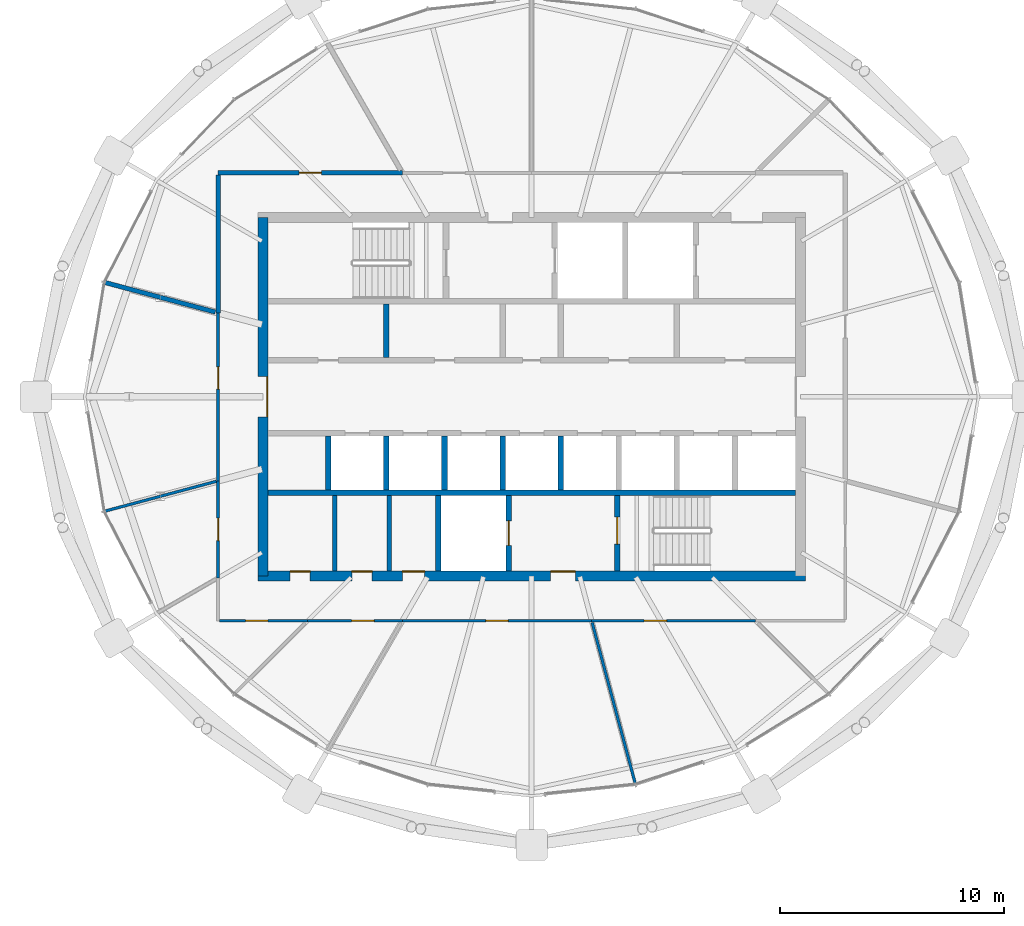
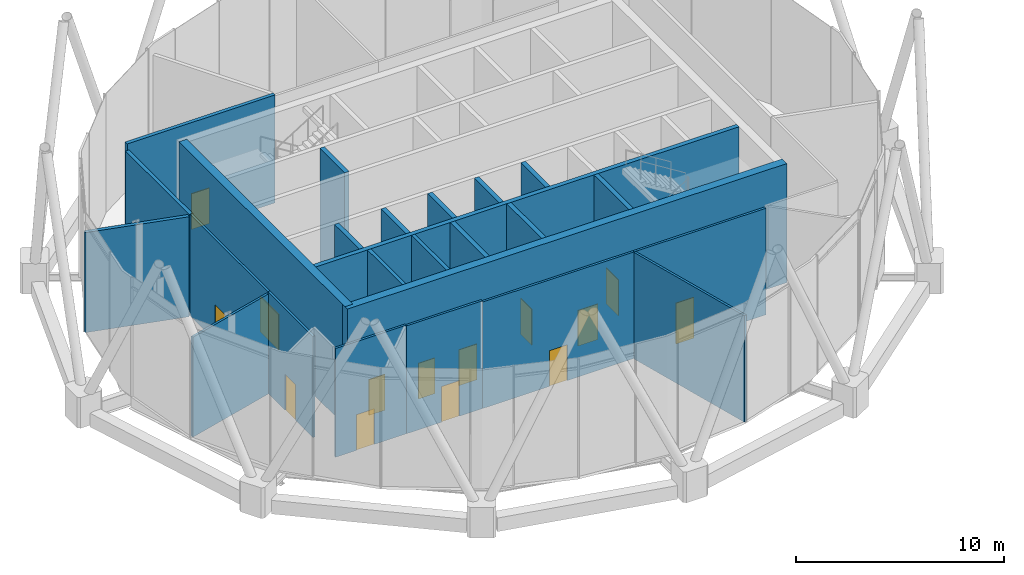
# One storey, part 18 of 28: 25 walls, 14 doors, 14 openings.
"""IFC4 building model written with IfcOpenShell, lengths in metres."""

from ifc_helpers import new_model, si_unit, direction, frame, frame_2d, origin, place, context, subcontext, project, spatial, rectangle, extrude, material, layer, layer_set, type_object, element, fill, save


model = new_model("IFC4")

# Units and contexts
model_context = context("Model", 3, precision=1e-05, world=origin(), true_north=direction((0.0, 1.0)))
body_context = subcontext(model_context, "Body", "Model", "MODEL_VIEW")
ifc_project = project(units=[si_unit("LENGTHUNIT", "METRE"), si_unit("AREAUNIT", "SQUARE_METRE"), si_unit("VOLUMEUNIT", "CUBIC_METRE"), si_unit("PLANEANGLEUNIT", "RADIAN"), si_unit("MASSUNIT", "GRAM", prefix="KILO")], contexts=[model_context])

# Site, building, storey
site_placement = place(None, origin())
site = spatial("IfcSite", under=ifc_project, at=site_placement, CompositionType="ELEMENT")
building_placement = place(site_placement, origin())
building = spatial("IfcBuilding", under=site, at=building_placement, Name="Rimbun Link Towers", CompositionType="ELEMENT")
storey_placement = place(building_placement, frame((0.0, 0.0, 256.10009765625)))
storey = spatial("IfcBuildingStorey", under=building, at=storey_placement, Name="L63", CompositionType="ELEMENT", Elevation=256.10009765625)

# Walls
ifc_material_1 = material(Name="Masonry blockwork", Category="masonry")
ifc_layer_1 = layer(ifc_material_1, 0.199951171875)
ifc_layer_set_1 = layer_set([ifc_layer_1], Name="Core partition 200")
wall_type_1 = type_object("IfcWallType", Name="Core partition 200", PredefinedType="PARTITIONING", material=ifc_layer_set_1)
for number, where, z_axis, x_axis, name in (
    (1, (-40.550048828125, -4.39990234375, 0.0), (0.0, 0.0, 1.0), (0.0, -1.0, 0.0), "L63 T1 core wall C1"),
    (2, (-38.10009765625, -4.39990234375, 0.0), (0.0, 0.0, 1.0), (0.0, -1.0, 0.0), "L63 T1 core wall C2"),
):
    element("IfcWall", number, at=place(storey_placement, frame(where, z_axis=z_axis, x_axis=x_axis)), inside=storey, type_object=wall_type_1, Name=name, PredefinedType="PARTITIONING", context=body_context, shape_type="SweptSolid", body=[
        extrude(rectangle(XDim=3.375, YDim=0.199951171875, at=frame_2d((1.6875, 0.0))), origin(), (0.0, 0.0, 1.0), 7.0),
    ])

# Wall, openings, doors
ifc_material_2 = material(Name="Concrete C60/75", Category="concrete")
ifc_layer_2 = layer(ifc_material_2, 0.449951171875)
ifc_layer_set_2 = layer_set([ifc_layer_2], Name="Core shear wall 450")
wall_type_2 = type_object("IfcWallType", Name="Core shear wall 450", PredefinedType="SHEAR", material=ifc_layer_set_2)
wall_1_placement = place(storey_placement, frame((-43.97509765625, -8.0, 0.0), z_axis=(0.0, 0.0, 1.0), x_axis=(1.0, 0.0, 0.0)))
wall_1 = element("IfcWall", 3, at=wall_1_placement, inside=storey, type_object=wall_type_2, Name="L63 T1 core wall S", PredefinedType="SHEAR", context=body_context, shape_type="SweptSolid", body=[
    extrude(rectangle(XDim=24.4501953125, YDim=0.449951171875, at=frame_2d((12.22509765625, 0.0))), origin(), (0.0, 0.0, 1.0), 7.0),
])
opening_1_placement = place(wall_1_placement, frame((13.074951171875, 0.0, 0.0)))
opening_1 = element("IfcOpeningElement", 4, at=opening_1_placement, cuts=wall_1, Name="Opening C1DCF01S", PredefinedType="OPENING", context=body_context, shape_type="SweptSolid", body=[
    extrude(rectangle(XDim=1.10009765625, YDim=2.10009765625, at=frame_2d((0.550048828125, 1.050048828125))), frame((0.0, 0.23486328125, 0.0), z_axis=(0.0, -1.0, 0.0), x_axis=(1.0, 0.0, 0.0)), (0.0, 0.0, 1.0), 0.469970703125),
])
opening_2_placement = place(wall_1_placement, frame((1.4375, 0.0, 0.0)))
opening_2 = element("IfcOpeningElement", 5, at=opening_2_placement, cuts=wall_1, Name="Opening C1DWC02S", PredefinedType="OPENING", context=body_context, shape_type="SweptSolid", body=[
    extrude(rectangle(XDim=0.89990234375, YDim=2.10009765625, at=frame_2d((0.449951171875, 1.050048828125))), frame((0.0, 0.23486328125, 0.0), z_axis=(0.0, -1.0, 0.0), x_axis=(1.0, 0.0, 0.0)), (0.0, 0.0, 1.0), 0.469970703125),
])
opening_3_placement = place(wall_1_placement, frame((4.199951171875, 0.0, 0.0)))
opening_3 = element("IfcOpeningElement", 6, at=opening_3_placement, cuts=wall_1, Name="Opening C1DWC03S", PredefinedType="OPENING", context=body_context, shape_type="SweptSolid", body=[
    extrude(rectangle(XDim=0.89990234375, YDim=2.10009765625, at=frame_2d((0.449951171875, 1.050048828125))), frame((0.0, 0.23486328125, 0.0), z_axis=(0.0, -1.0, 0.0), x_axis=(1.0, 0.0, 0.0)), (0.0, 0.0, 1.0), 0.469970703125),
])
opening_4_placement = place(wall_1_placement, frame((6.449951171875, 0.0, 0.0)))
opening_4 = element("IfcOpeningElement", 7, at=opening_4_placement, cuts=wall_1, Name="Opening C1DAW04S", PredefinedType="OPENING", context=body_context, shape_type="SweptSolid", body=[
    extrude(rectangle(XDim=1.0, YDim=2.10009765625, at=frame_2d((0.5, 1.050048828125))), frame((0.0, 0.23486328125, 0.0), z_axis=(0.0, -1.0, 0.0), x_axis=(1.0, 0.0, 0.0)), (0.0, 0.0, 1.0), 0.469970703125),
])
ifc_material_3 = material(Name="Timber", Category="wood")
door_type_1 = type_object("IfcDoorType", Name="Accessible WC door", OperationType="SINGLE_SWING_LEFT", PredefinedType="DOOR", material=ifc_material_3)
door_1_placement = place(opening_4_placement, origin())
door_1 = element("IfcDoor", 8, at=door_1_placement, inside=storey, type_object=door_type_1, Name="L63 T1 accessible wc door", OperationType="SINGLE_SWING_RIGHT", OverallHeight=2.10009765625, OverallWidth=1.0, PredefinedType="DOOR", context=body_context, shape_type="SweptSolid", body=[
    extrude(rectangle(XDim=1.0, YDim=2.10009765625, at=frame_2d((0.5, 1.050048828125))), frame((0.0, 0.22509765625, 0.0), z_axis=(0.0, -1.0, 0.0), x_axis=(1.0, 0.0, 0.0)), (0.0, 0.0, 1.0), 0.050048828125),
])
fill(opening_4, door_1)
ifc_material_4 = material(Name="Steel fire door set", Category="steel")
door_type_2 = type_object("IfcDoorType", Name="Core fire door single", OperationType="SINGLE_SWING_LEFT", PredefinedType="DOOR", material=ifc_material_4)
door_2_placement = place(opening_1_placement, origin())
door_2 = element("IfcDoor", 9, at=door_2_placement, inside=storey, type_object=door_type_2, Name="L63 T1 firefighting lobby s door", OperationType="SINGLE_SWING_RIGHT", OverallHeight=2.10009765625, OverallWidth=1.10009765625, PredefinedType="DOOR", context=body_context, shape_type="SweptSolid", body=[
    extrude(rectangle(XDim=1.10009765625, YDim=2.10009765625, at=frame_2d((0.550048828125, 1.050048828125))), frame((0.0, 0.22509765625, 0.0), z_axis=(0.0, -1.0, 0.0), x_axis=(1.0, 0.0, 0.0)), (0.0, 0.0, 1.0), 0.050048828125),
])
fill(opening_1, door_2)
ifc_material_5 = material(Name="Timber", Category="wood")
door_type_3 = type_object("IfcDoorType", Name="WC door", OperationType="SINGLE_SWING_LEFT", PredefinedType="DOOR", material=ifc_material_5)
door_3_placement = place(opening_2_placement, origin())
door_3 = element("IfcDoor", 10, at=door_3_placement, inside=storey, type_object=door_type_3, Name="L63 T1 male wc door", OperationType="SINGLE_SWING_RIGHT", OverallHeight=2.10009765625, OverallWidth=0.89990234375, PredefinedType="DOOR", context=body_context, shape_type="SweptSolid", body=[
    extrude(rectangle(XDim=0.89990234375, YDim=2.10009765625, at=frame_2d((0.449951171875, 1.050048828125))), frame((0.0, 0.22509765625, 0.0), z_axis=(0.0, -1.0, 0.0), x_axis=(1.0, 0.0, 0.0)), (0.0, 0.0, 1.0), 0.050048828125),
])
fill(opening_2, door_3)
door_4_placement = place(opening_3_placement, origin())
door_4 = element("IfcDoor", 11, at=door_4_placement, inside=storey, type_object=door_type_3, Name="L63 T1 female wc door", OperationType="SINGLE_SWING_LEFT", OverallHeight=2.10009765625, OverallWidth=0.89990234375, PredefinedType="DOOR", context=body_context, shape_type="SweptSolid", body=[
    extrude(rectangle(XDim=0.89990234375, YDim=2.10009765625, at=frame_2d((0.449951171875, 1.050048828125))), frame((0.0, 0.22509765625, 0.0), z_axis=(0.0, -1.0, 0.0), x_axis=(1.0, 0.0, 0.0)), (0.0, 0.0, 1.0), 0.050048828125),
])
fill(opening_3, door_4)

# Wall, opening, door
wall_2_placement = place(storey_placement, frame((-43.75, -8.0, 0.0), z_axis=(0.0, 0.0, 1.0), x_axis=(0.0, 1.0, 0.0)))
wall_2 = element("IfcWall", 12, at=wall_2_placement, inside=storey, type_object=wall_type_2, Name="L63 T1 core wall W", PredefinedType="SHEAR", context=body_context, shape_type="SweptSolid", body=[
    extrude(rectangle(XDim=16.0, YDim=0.449951171875, at=frame_2d((8.0, 0.0))), origin(), (0.0, 0.0, 1.0), 7.0),
])
opening_5_placement = place(wall_2_placement, frame((7.10009765625, 0.0, 0.0)))
opening_5 = element("IfcOpeningElement", 13, at=opening_5_placement, cuts=wall_2, Name="Opening C1DCL01W", PredefinedType="OPENING", context=body_context, shape_type="SweptSolid", body=[
    extrude(rectangle(XDim=1.800048828125, YDim=2.10009765625, at=frame_2d((0.89990234375, 1.050048828125))), frame((0.0, 0.23486328125, 0.0), z_axis=(0.0, -1.0, 0.0), x_axis=(1.0, 0.0, 0.0)), (0.0, 0.0, 1.0), 0.469970703125),
])
ifc_material_6 = material(Name="Steel fire door set", Category="steel")
door_type_4 = type_object("IfcDoorType", Name="Core lobby door double", OperationType="DOUBLE_DOOR_SINGLE_SWING", PredefinedType="DOOR", material=ifc_material_6)
door_5_placement = place(opening_5_placement, origin())
door_5 = element("IfcDoor", 14, at=door_5_placement, inside=storey, type_object=door_type_4, Name="L63 T1 lift lobby door", OperationType="DOUBLE_DOOR_SINGLE_SWING", OverallHeight=2.10009765625, OverallWidth=1.800048828125, PredefinedType="DOOR", context=body_context, shape_type="SweptSolid", body=[
    extrude(rectangle(XDim=1.800048828125, YDim=2.10009765625, at=frame_2d((0.89990234375, 1.050048828125))), frame((0.0, -0.1748046875, 0.0), z_axis=(0.0, -1.0, 0.0), x_axis=(1.0, 0.0, 0.0)), (0.0, 0.0, 1.0), 0.050048828125),
])
fill(opening_5, door_5)

ifc_material_7 = material(Name="Concrete blockwork", Category="masonry")
ifc_layer_3 = layer(ifc_material_7, 0.199951171875)
ifc_layer_set_3 = layer_set([ifc_layer_3], Name="Fire partition 200 blockwork")
wall_type_3 = type_object("IfcWallType", Name="Fire partition 200 blockwork", PredefinedType="PARTITIONING", material=ifc_layer_set_3)
wall_3_placement = place(storey_placement, frame((-37.5234375, 10.0, 0.0), z_axis=(0.0, 0.0, 1.0), x_axis=(-1.0, 0.0, 0.0)))
wall_3 = element("IfcWall", 15, at=wall_3_placement, inside=storey, type_object=wall_type_3, Name="TW/PW/L63/013", PredefinedType="PARTITIONING", context=body_context, shape_type="SweptSolid", body=[
    extrude(rectangle(XDim=8.2265625, YDim=0.199951171875, at=frame_2d((4.11328125, 0.0))), origin(), (0.0, 0.0, 1.0), 6.346923828125),
])
opening_6_placement = place(wall_3_placement, frame((3.613037109375, 0.0, 0.0)))
opening_6 = element("IfcOpeningElement", 16, at=opening_6_placement, cuts=wall_3, Name="Opening TW D63.10", PredefinedType="OPENING", context=body_context, shape_type="SweptSolid", body=[
    extrude(rectangle(XDim=1.0, YDim=2.10009765625, at=frame_2d((0.5, 1.050048828125))), frame((0.0, 0.10986328125, 0.0), z_axis=(0.0, -1.0, 0.0), x_axis=(1.0, 0.0, 0.0)), (0.0, 0.0, 1.0), 0.219970703125),
])
ifc_material_8 = material(Name="Steel fire door set", Category="steel")
door_type_5 = type_object("IfcDoorType", Name="Fire door single leaf 1000 x 2100", OperationType="NOTDEFINED", PredefinedType="DOOR", material=ifc_material_8)
door_6_placement = place(opening_6_placement, origin())
door_6 = element("IfcDoor", 17, at=door_6_placement, inside=storey, type_object=door_type_5, Name="TW/DR/L63/010", OperationType="SINGLE_SWING_LEFT", OverallHeight=2.10009765625, OverallWidth=1.0, PredefinedType="DOOR", context=body_context, shape_type="SweptSolid", body=[
    extrude(rectangle(XDim=1.0, YDim=2.10009765625, at=frame_2d((0.5, 1.050048828125))), frame((0.0, 0.02490234375, 0.0), z_axis=(0.0, -1.0, 0.0), x_axis=(1.0, 0.0, 0.0)), (0.0, 0.0, 1.0), 0.050048828125),
])
fill(opening_6, door_6)

# Walls
wall_4_placement = place(storey_placement, frame((-45.75, 9.89990234375, 0.0), z_axis=(0.0, 0.0, 1.0), x_axis=(0.0, -1.0, 0.0)))
element("IfcWall", 18, at=wall_4_placement, inside=storey, type_object=wall_type_3, Name="TW/PW/L63/014", PredefinedType="PARTITIONING", context=body_context, shape_type="SweptSolid", body=[
    extrude(rectangle(XDim=6.148681640625, YDim=0.199951171875, at=frame_2d((3.07421875, 0.0))), origin(), (0.0, 0.0, 1.0), 5.958984375),
])
wall_5_placement = place(storey_placement, frame((-50.8837890625, 5.126953125, 0.0), z_axis=(0.0, 0.0, 1.0), x_axis=(0.965916099521, -0.258855343168, 0.0)))
element("IfcWall", 19, at=wall_5_placement, inside=storey, type_object=wall_type_3, Name="TW/PW/L63/026", PredefinedType="PARTITIONING", context=body_context, shape_type="SweptSolid", body=[
    extrude(rectangle(XDim=5.1845703125, YDim=0.199951171875, at=frame_2d((2.59228515625, 0.0))), origin(), (0.0, 0.0, 1.0), 5.8818359375),
])

# Wall, opening, door
ifc_material_9 = material(Name="Gypsum board on steel studs", Category="steel")
ifc_layer_4 = layer(ifc_material_9, 0.125)
ifc_layer_set_4 = layer_set([ifc_layer_4], Name="Partition 125 board on studs")
wall_type_4 = type_object("IfcWallType", Name="Partition 125 board on studs", PredefinedType="PARTITIONING", material=ifc_layer_set_4)
wall_6_placement = place(storey_placement, frame((-45.75, -3.751220703125, 0.0), z_axis=(0.0, 0.0, 1.0), x_axis=(0.0, -1.0, 0.0)))
wall_6 = element("IfcWall", 20, at=wall_6_placement, inside=storey, type_object=wall_type_4, Name="TW/PW/L63/001", PredefinedType="PARTITIONING", context=body_context, shape_type="SweptSolid", body=[
    extrude(rectangle(XDim=4.331787109375, YDim=0.125, at=frame_2d((2.166015625, 0.0))), origin(), (0.0, 0.0, 1.0), 5.958984375),
])
opening_7_placement = place(wall_6_placement, frame((1.666015625, 0.0, 0.0)))
opening_7 = element("IfcOpeningElement", 21, at=opening_7_placement, cuts=wall_6, Name="Opening TW D63.01", PredefinedType="OPENING", context=body_context, shape_type="SweptSolid", body=[
    extrude(rectangle(XDim=1.0, YDim=2.10009765625, at=frame_2d((0.5, 1.050048828125))), frame((0.0, 0.072509765625, 0.0), z_axis=(0.0, -1.0, 0.0), x_axis=(1.0, 0.0, 0.0)), (0.0, 0.0, 1.0), 0.14501953125),
])
ifc_material_10 = material(Name="Timber door set", Category="wood")
door_type_6 = type_object("IfcDoorType", Name="Door single leaf 1000 x 2100", OperationType="NOTDEFINED", PredefinedType="DOOR", material=ifc_material_10)
door_7_placement = place(opening_7_placement, origin())
door_7 = element("IfcDoor", 22, at=door_7_placement, inside=storey, type_object=door_type_6, Name="TW/DR/L63/001", OperationType="SINGLE_SWING_RIGHT", OverallHeight=2.10009765625, OverallWidth=1.0, PredefinedType="DOOR", context=body_context, shape_type="SweptSolid", body=[
    extrude(rectangle(XDim=1.0, YDim=2.10009765625, at=frame_2d((0.5, 1.050048828125))), frame((0.0, 0.02490234375, 0.0), z_axis=(0.0, -1.0, 0.0), x_axis=(1.0, 0.0, 0.0)), (0.0, 0.0, 1.0), 0.050048828125),
])
fill(opening_7, door_7)

wall_7_placement = place(storey_placement, frame((-45.6875, -10.0, 0.0), z_axis=(0.0, 0.0, 1.0), x_axis=(1.0, 0.0, 0.0)))
wall_7 = element("IfcWall", 23, at=wall_7_placement, inside=storey, type_object=wall_type_4, Name="TW/PW/L63/003", PredefinedType="PARTITIONING", context=body_context, shape_type="SweptSolid", body=[
    extrude(rectangle(XDim=3.9375, YDim=0.125, at=frame_2d((1.96875, 0.0))), origin(), (0.0, 0.0, 1.0), 6.393798828125),
])
opening_8_placement = place(wall_7_placement, frame((1.1630859375, 0.0, 0.0)))
opening_8 = element("IfcOpeningElement", 24, at=opening_8_placement, cuts=wall_7, Name="Opening TW D63.02", PredefinedType="OPENING", context=body_context, shape_type="SweptSolid", body=[
    extrude(rectangle(XDim=1.0, YDim=2.10009765625, at=frame_2d((0.5, 1.050048828125))), frame((0.0, 0.072509765625, 0.0), z_axis=(0.0, -1.0, 0.0), x_axis=(1.0, 0.0, 0.0)), (0.0, 0.0, 1.0), 0.14501953125),
])
door_8_placement = place(opening_8_placement, origin())
door_8 = element("IfcDoor", 25, at=door_8_placement, inside=storey, type_object=door_type_6, Name="TW/DR/L63/002", OperationType="SINGLE_SWING_LEFT", OverallHeight=2.10009765625, OverallWidth=1.0, PredefinedType="DOOR", context=body_context, shape_type="SweptSolid", body=[
    extrude(rectangle(XDim=1.0, YDim=2.10009765625, at=frame_2d((0.5, 1.050048828125))), frame((0.0, 0.02490234375, 0.0), z_axis=(0.0, -1.0, 0.0), x_axis=(1.0, 0.0, 0.0)), (0.0, 0.0, 1.0), 0.050048828125),
])
fill(opening_8, door_8)

wall_8_placement = place(storey_placement, frame((-41.75, -10.0, 0.0), z_axis=(0.0, 0.0, 1.0), x_axis=(1.0, 0.0, 0.0)))
wall_8 = element("IfcWall", 26, at=wall_8_placement, inside=storey, type_object=wall_type_4, Name="TW/PW/L63/004", PredefinedType="PARTITIONING", context=body_context, shape_type="SweptSolid", body=[
    extrude(rectangle(XDim=4.2265625, YDim=0.125, at=frame_2d((2.11328125, 0.0))), origin(), (0.0, 0.0, 1.0), 6.346923828125),
])
opening_9_placement = place(wall_8_placement, frame((1.9619140625, 0.0, 0.0)))
opening_9 = element("IfcOpeningElement", 27, at=opening_9_placement, cuts=wall_8, Name="Opening TW D63.03", PredefinedType="OPENING", context=body_context, shape_type="SweptSolid", body=[
    extrude(rectangle(XDim=1.0, YDim=2.10009765625, at=frame_2d((0.5, 1.050048828125))), frame((0.0, 0.072509765625, 0.0), z_axis=(0.0, -1.0, 0.0), x_axis=(1.0, 0.0, 0.0)), (0.0, 0.0, 1.0), 0.14501953125),
])
door_9_placement = place(opening_9_placement, origin())
door_9 = element("IfcDoor", 28, at=door_9_placement, inside=storey, type_object=door_type_6, Name="TW/DR/L63/003", OperationType="SINGLE_SWING_RIGHT", OverallHeight=2.10009765625, OverallWidth=1.0, PredefinedType="DOOR", context=body_context, shape_type="SweptSolid", body=[
    extrude(rectangle(XDim=1.0, YDim=2.10009765625, at=frame_2d((0.5, 1.050048828125))), frame((0.0, 0.02490234375, 0.0), z_axis=(0.0, -1.0, 0.0), x_axis=(1.0, 0.0, 0.0)), (0.0, 0.0, 1.0), 0.050048828125),
])
fill(opening_9, door_9)

wall_9_placement = place(storey_placement, frame((-37.5234375, -10.0, 0.0), z_axis=(0.0, 0.0, 1.0), x_axis=(1.0, 0.0, 0.0)))
wall_9 = element("IfcWall", 29, at=wall_9_placement, inside=storey, type_object=wall_type_4, Name="TW/PW/L63/005", PredefinedType="PARTITIONING", context=body_context, shape_type="SweptSolid", body=[
    extrude(rectangle(XDim=8.452880859375, YDim=0.125, at=frame_2d((4.2265625, 0.0))), origin(), (0.0, 0.0, 1.0), 6.266845703125),
])
opening_10_placement = place(wall_9_placement, frame((3.72607421875, 0.0, 0.0)))
opening_10 = element("IfcOpeningElement", 30, at=opening_10_placement, cuts=wall_9, Name="Opening TW D63.04", PredefinedType="OPENING", context=body_context, shape_type="SweptSolid", body=[
    extrude(rectangle(XDim=1.0, YDim=2.10009765625, at=frame_2d((0.5, 1.050048828125))), frame((0.0, 0.072509765625, 0.0), z_axis=(0.0, -1.0, 0.0), x_axis=(1.0, 0.0, 0.0)), (0.0, 0.0, 1.0), 0.14501953125),
])
door_10_placement = place(opening_10_placement, origin())
door_10 = element("IfcDoor", 31, at=door_10_placement, inside=storey, type_object=door_type_6, Name="TW/DR/L63/004", OperationType="SINGLE_SWING_LEFT", OverallHeight=2.10009765625, OverallWidth=1.0, PredefinedType="DOOR", context=body_context, shape_type="SweptSolid", body=[
    extrude(rectangle(XDim=1.0, YDim=2.10009765625, at=frame_2d((0.5, 1.050048828125))), frame((0.0, 0.02490234375, 0.0), z_axis=(0.0, -1.0, 0.0), x_axis=(1.0, 0.0, 0.0)), (0.0, 0.0, 1.0), 0.050048828125),
])
fill(opening_10, door_10)

wall_10_placement = place(storey_placement, frame((-29.070556640625, -10.0, 0.0), z_axis=(0.0, 0.0, 1.0), x_axis=(1.0, 0.0, 0.0)))
wall_10 = element("IfcWall", 32, at=wall_10_placement, inside=storey, type_object=wall_type_4, Name="TW/PW/L63/006", PredefinedType="PARTITIONING", context=body_context, shape_type="SweptSolid", body=[
    extrude(rectangle(XDim=7.320556640625, YDim=0.125, at=frame_2d((3.66015625, 0.0))), origin(), (0.0, 0.0, 1.0), 6.266845703125),
])
opening_11_placement = place(wall_10_placement, frame((2.346923828125, 0.0, 0.0)))
opening_11 = element("IfcOpeningElement", 33, at=opening_11_placement, cuts=wall_10, Name="Opening TW D63.05", PredefinedType="OPENING", context=body_context, shape_type="SweptSolid", body=[
    extrude(rectangle(XDim=1.0, YDim=2.39990234375, at=frame_2d((0.5, 1.199951171875))), frame((0.0, 0.072509765625, 0.0), z_axis=(0.0, -1.0, 0.0), x_axis=(1.0, 0.0, 0.0)), (0.0, 0.0, 1.0), 0.14501953125),
])
ifc_material_11 = material(Name="Timber door set", Category="wood")
door_type_7 = type_object("IfcDoorType", Name="Hall door single leaf 1000 x 2400", OperationType="NOTDEFINED", PredefinedType="DOOR", material=ifc_material_11)
door_11_placement = place(opening_11_placement, origin())
door_11 = element("IfcDoor", 34, at=door_11_placement, inside=storey, type_object=door_type_7, Name="TW/DR/L63/005", OperationType="SINGLE_SWING_RIGHT", OverallHeight=2.39990234375, OverallWidth=1.0, PredefinedType="DOOR", context=body_context, shape_type="SweptSolid", body=[
    extrude(rectangle(XDim=1.0, YDim=2.39990234375, at=frame_2d((0.5, 1.199951171875))), frame((0.0, 0.02490234375, 0.0), z_axis=(0.0, -1.0, 0.0), x_axis=(1.0, 0.0, 0.0)), (0.0, 0.0, 1.0), 0.050048828125),
])
fill(opening_11, door_11)

wall_11_placement = place(storey_placement, frame((-45.75, 3.751220703125, 0.0), z_axis=(0.0, 0.0, 1.0), x_axis=(0.0, -1.0, 0.0)))
wall_11 = element("IfcWall", 35, at=wall_11_placement, inside=storey, type_object=wall_type_4, Name="TW/PW/L63/015", PredefinedType="PARTITIONING", context=body_context, shape_type="SweptSolid", body=[
    extrude(rectangle(XDim=7.50244140625, YDim=0.125, at=frame_2d((3.751220703125, 0.0))), origin(), (0.0, 0.0, 1.0), 5.958984375),
])
opening_12_placement = place(wall_11_placement, frame((2.410888671875, 0.0, 0.0)))
opening_12 = element("IfcOpeningElement", 36, at=opening_12_placement, cuts=wall_11, Name="Opening TW D63.11", PredefinedType="OPENING", context=body_context, shape_type="SweptSolid", body=[
    extrude(rectangle(XDim=1.0, YDim=2.10009765625, at=frame_2d((0.5, 1.050048828125))), frame((0.0, 0.072509765625, 0.0), z_axis=(0.0, -1.0, 0.0), x_axis=(1.0, 0.0, 0.0)), (0.0, 0.0, 1.0), 0.14501953125),
])
door_12_placement = place(opening_12_placement, origin())
door_12 = element("IfcDoor", 37, at=door_12_placement, inside=storey, type_object=door_type_6, Name="TW/DR/L63/011", OperationType="SINGLE_SWING_RIGHT", OverallHeight=2.10009765625, OverallWidth=1.0, PredefinedType="DOOR", context=body_context, shape_type="SweptSolid", body=[
    extrude(rectangle(XDim=1.0, YDim=2.10009765625, at=frame_2d((0.5, 1.050048828125))), frame((0.0, 0.02490234375, 0.0), z_axis=(0.0, -1.0, 0.0), x_axis=(1.0, 0.0, 0.0)), (0.0, 0.0, 1.0), 0.050048828125),
])
fill(opening_12, door_12)

# Walls
wall_12_placement = place(storey_placement, frame((-45.82861328125, -3.7724609375, 0.0), z_axis=(0.0, 0.0, 1.0), x_axis=(-0.965928385491, -0.258809493842, 0.0)))
element("IfcWall", 38, at=wall_12_placement, inside=storey, type_object=wall_type_4, Name="TW/PW/L63/017", PredefinedType="PARTITIONING", context=body_context, shape_type="SweptSolid", body=[
    extrude(rectangle(XDim=5.1533203125, YDim=0.125, at=frame_2d((2.57666015625, 0.0))), origin(), (0.0, 0.0, 1.0), 5.8818359375),
])
wall_13_placement = place(storey_placement, frame((-27.10009765625, -17.35400390625, 0.0), z_axis=(0.0, 0.0, 1.0), x_axis=(-0.258792252093, 0.965933005056, 0.0)))
element("IfcWall", 39, at=wall_13_placement, inside=storey, type_object=wall_type_4, Name="TW/PW/L63/020", PredefinedType="PARTITIONING", context=body_context, shape_type="SweptSolid", body=[
    extrude(rectangle(XDim=7.531982421875, YDim=0.125, at=frame_2d((3.76611328125, 0.0))), origin(), (0.0, 0.0, 1.0), 6.266845703125),
])
ifc_material_12 = material(Name="Concrete C60/75", Category="concrete")
ifc_layer_5 = layer(ifc_material_12, 0.25)
ifc_layer_set_5 = layer_set([ifc_layer_5], Name="Shaft wall 250")
wall_type_5 = type_object("IfcWallType", Name="Shaft wall 250", PredefinedType="SHEAR", material=ifc_layer_set_5)
wall_14_placement = place(storey_placement, frame((-43.52490234375, -4.27490234375, 0.0), z_axis=(0.0, 0.0, 1.0), x_axis=(1.0, 0.0, 0.0)))
element("IfcWall", 40, at=wall_14_placement, inside=storey, type_object=wall_type_5, Name="L63 T1 core wall BS", PredefinedType="SHEAR", context=body_context, shape_type="SweptSolid", body=[
    extrude(rectangle(XDim=23.5498046875, YDim=0.25, at=frame_2d((11.77490234375, 0.0))), origin(), (0.0, 0.0, 1.0), 7.0),
])
for number, where, z_axis, x_axis, name in (
    (41, (-38.236083984375, 1.75, 0.0), (0.0, 0.0, 1.0), (0.0, 1.0, 0.0), "L63 T1 core wall DN1"),
    (42, (-40.83056640625, -4.14990234375, 0.0), (0.0, 0.0, 1.0), (0.0, 1.0, 0.0), "L63 T1 core wall DS0"),
    (43, (-38.236083984375, -4.14990234375, 0.0), (0.0, 0.0, 1.0), (0.0, 1.0, 0.0), "L63 T1 core wall DS1"),
    (44, (-35.6416015625, -4.14990234375, 0.0), (0.0, 0.0, 1.0), (0.0, 1.0, 0.0), "L63 T1 core wall DS2"),
    (45, (-33.047119140625, -4.14990234375, 0.0), (0.0, 0.0, 1.0), (0.0, 1.0, 0.0), "L63 T1 core wall DS3"),
    (46, (-30.452880859375, -4.14990234375, 0.0), (0.0, 0.0, 1.0), (0.0, 1.0, 0.0), "L63 T1 core wall DS4"),
):
    element("IfcWall", number, at=place(storey_placement, frame(where, z_axis=z_axis, x_axis=x_axis)), inside=storey, type_object=wall_type_5, Name=name, PredefinedType="SHEAR", context=body_context, shape_type="SweptSolid", body=[
        extrude(rectangle(XDim=2.39990234375, YDim=0.25, at=frame_2d((1.199951171875, 0.0))), origin(), (0.0, 0.0, 1.0), 7.0),
    ])

# Wall, opening, door
wall_15_placement = place(storey_placement, frame((-27.925048828125, -4.39990234375, 0.0), z_axis=(0.0, 0.0, 1.0), x_axis=(0.0, -1.0, 0.0)))
wall_15 = element("IfcWall", 47, at=wall_15_placement, inside=storey, type_object=wall_type_5, Name="L63 T1 core wall B1", PredefinedType="SHEAR", context=body_context, shape_type="SweptSolid", body=[
    extrude(rectangle(XDim=3.375, YDim=0.25, at=frame_2d((1.6875, 0.0))), origin(), (0.0, 0.0, 1.0), 7.0),
])
opening_13_placement = place(wall_15_placement, frame((0.97509765625, 0.0, 0.0)))
opening_13 = element("IfcOpeningElement", 48, at=opening_13_placement, cuts=wall_15, Name="Opening C1DST01B1", PredefinedType="OPENING", context=body_context, shape_type="SweptSolid", body=[
    extrude(rectangle(XDim=1.199951171875, YDim=2.10009765625, at=frame_2d((0.60009765625, 1.050048828125))), frame((0.0, 0.135009765625, 0.0), z_axis=(0.0, -1.0, 0.0), x_axis=(1.0, 0.0, 0.0)), (0.0, 0.0, 1.0), 0.27001953125),
])
ifc_material_13 = material(Name="Steel fire door set", Category="steel")
door_type_8 = type_object("IfcDoorType", Name="Stair door", OperationType="SINGLE_SWING_LEFT", PredefinedType="DOOR", material=ifc_material_13)
door_13_placement = place(opening_13_placement, origin())
door_13 = element("IfcDoor", 49, at=door_13_placement, inside=storey, type_object=door_type_8, Name="L63 T1 stair b door", OperationType="SINGLE_SWING_LEFT", OverallHeight=2.10009765625, OverallWidth=1.199951171875, PredefinedType="DOOR", context=body_context, shape_type="SweptSolid", body=[
    extrude(rectangle(XDim=1.199951171875, YDim=2.10009765625, at=frame_2d((0.60009765625, 1.050048828125))), frame((0.0, 0.02490234375, 0.0), z_axis=(0.0, -1.0, 0.0), x_axis=(1.0, 0.0, 0.0)), (0.0, 0.0, 1.0), 0.050048828125),
])
fill(opening_13, door_13)

wall_16_placement = place(storey_placement, frame((-32.77490234375, -4.39990234375, 0.0), z_axis=(0.0, 0.0, 1.0), x_axis=(0.0, -1.0, 0.0)))
wall_16 = element("IfcWall", 50, at=wall_16_placement, inside=storey, type_object=wall_type_5, Name="L63 T1 core wall B2", PredefinedType="SHEAR", context=body_context, shape_type="SweptSolid", body=[
    extrude(rectangle(XDim=3.375, YDim=0.25, at=frame_2d((1.6875, 0.0))), origin(), (0.0, 0.0, 1.0), 7.0),
])
opening_14_placement = place(wall_16_placement, frame((1.137451171875, 0.0, 0.0)))
opening_14 = element("IfcOpeningElement", 51, at=opening_14_placement, cuts=wall_16, Name="Opening LD-T1-FF2", PredefinedType="OPENING", context=body_context, shape_type="SweptSolid", body=[
    extrude(rectangle(XDim=1.10009765625, YDim=2.10009765625, at=frame_2d((0.550048828125, 1.050048828125))), frame((0.0, 0.135009765625, 0.0), z_axis=(0.0, -1.0, 0.0), x_axis=(1.0, 0.0, 0.0)), (0.0, 0.0, 1.0), 0.27001953125),
])
ifc_material_14 = material(Name="Stainless steel grade 316", Category="steel")
door_type_9 = type_object("IfcDoorType", Name="Lift landing door", OperationType="DOUBLE_DOOR_SLIDING", PredefinedType="DOOR", material=ifc_material_14)
door_14_placement = place(opening_14_placement, origin())
door_14 = element("IfcDoor", 52, at=door_14_placement, inside=storey, type_object=door_type_9, Name="L63 T1 lift FF2 landing door", OperationType="DOUBLE_DOOR_SLIDING", OverallHeight=2.10009765625, OverallWidth=1.10009765625, PredefinedType="DOOR", context=body_context, shape_type="SweptSolid", body=[
    extrude(rectangle(XDim=1.10009765625, YDim=2.10009765625, at=frame_2d((0.550048828125, 1.050048828125))), frame((0.0, 0.02490234375, 0.0), z_axis=(0.0, -1.0, 0.0), x_axis=(1.0, 0.0, 0.0)), (0.0, 0.0, 1.0), 0.050048828125),
])
fill(opening_14, door_14)

# Wall
wall_17_placement = place(storey_placement, frame((-35.925048828125, -4.39990234375, 0.0), z_axis=(0.0, 0.0, 1.0), x_axis=(0.0, -1.0, 0.0)))
element("IfcWall", 53, at=wall_17_placement, inside=storey, type_object=wall_type_5, Name="L63 T1 core wall B3", PredefinedType="SHEAR", context=body_context, shape_type="SweptSolid", body=[
    extrude(rectangle(XDim=3.375, YDim=0.25, at=frame_2d((1.6875, 0.0))), origin(), (0.0, 0.0, 1.0), 7.0),
])

save(model, "model.ifc")
